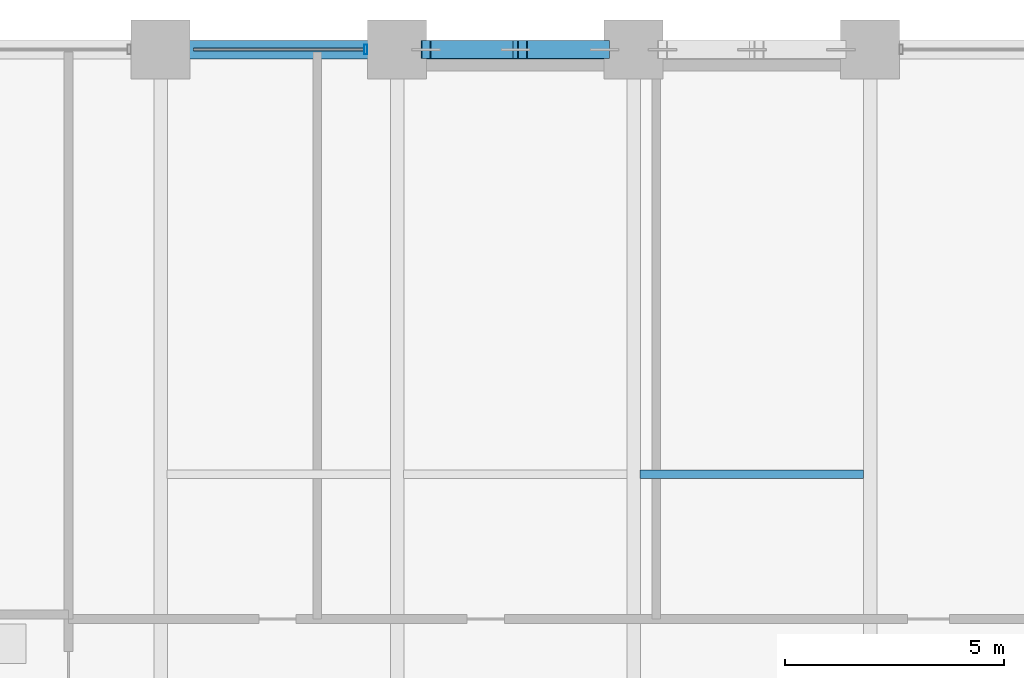
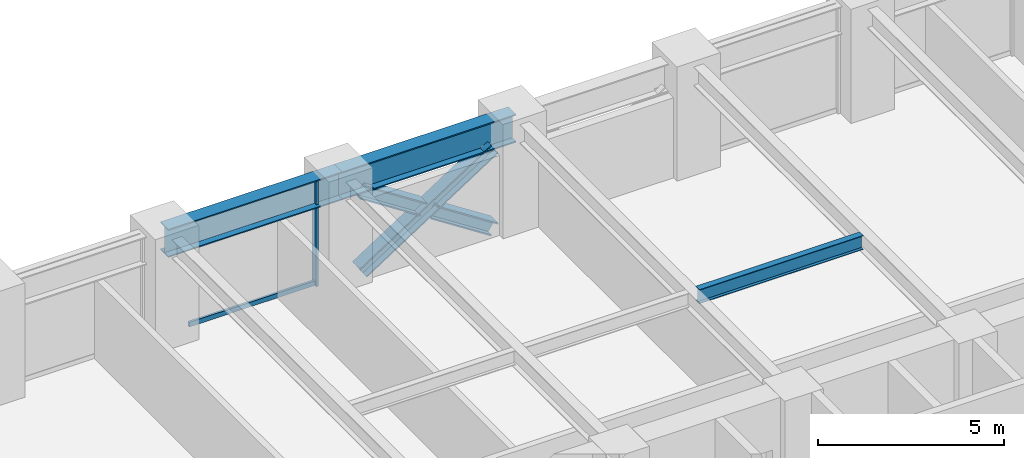
# One storey, part 13 of 24: 5 members, 3 beams, 1 element without a shape of its own.
"""IFC4 building model written with IfcOpenShell, lengths in metres."""

from ifc_helpers import new_model, si_unit, direction, frame, origin, origin_2d, place, context, subcontext, project, spatial, hollow_rectangle, i_section, extrude, material, layer, layer_set, material_profile, profile_set, type_object, element, aggregate, save


model = new_model("IFC4")

# Units and contexts
model_context = context("Model", 3, precision=1e-05, world=origin(), true_north=direction((0.0, 1.0)))
body_context = subcontext(model_context, "Body", "Model", "MODEL_VIEW")
ifc_project = project(units=[si_unit("LENGTHUNIT", "METRE"), si_unit("AREAUNIT", "SQUARE_METRE"), si_unit("VOLUMEUNIT", "CUBIC_METRE"), si_unit("PLANEANGLEUNIT", "RADIAN"), si_unit("MASSUNIT", "GRAM", prefix="KILO")], contexts=[model_context])

# Site, building, storey
site_placement = place(None, origin())
site = spatial("IfcSite", under=ifc_project, at=site_placement, CompositionType="ELEMENT")
building_placement = place(site_placement, origin())
building = spatial("IfcBuilding", under=site, at=building_placement, Name="Surkhivell Harbour Commons", CompositionType="ELEMENT")
storey_placement = place(building_placement, frame((0.0, 0.0, 30.0)))
storey = spatial("IfcBuildingStorey", under=building, at=storey_placement, Name="L07", CompositionType="ELEMENT", Elevation=30.0)

# Beams
ifc_material_1 = material(Name="Steel S355", Category="steel")
ifc_material_profile_1 = material_profile(ifc_material_1, i_section(OverallWidth=0.19189453125, OverallDepth=0.462890625, WebThickness=0.010498046875, FlangeThickness=0.017578125, at=origin_2d()), Name="UB457x191x89")
ifc_profile_set_1 = profile_set([ifc_material_profile_1], Name="Steel S355")
beam_type_1 = type_object("IfcBeamType", Name="BM-JST-457A", PredefinedType="JOIST", material=ifc_profile_set_1)
beam_1_placement = place(storey_placement, frame((0.151611328125, 16.199951171875, 3.33837890625), z_axis=(1.0, 0.0, 0.0), x_axis=(0.0, 1.0, 0.0)))
element("IfcBeam", 1, at=beam_1_placement, inside=storey, type_object=beam_type_1, Name="L07 North Composite Joist (0.0)", PredefinedType="JOIST", context=body_context, shape_type="SweptSolid", body=[
    extrude(i_section(OverallWidth=0.19189453125, OverallDepth=0.462890625, WebThickness=0.010498046875, FlangeThickness=0.017578125, at=origin_2d()), origin(), (0.0, 0.0, 1.0), 5.096923828125),
])
ifc_material_2 = material(Name="Steel S460", Category="steel")
ifc_material_profile_2 = material_profile(ifc_material_2, i_section(OverallWidth=0.419921875, OverallDepth=0.9208984375, WebThickness=0.021484375, FlangeThickness=0.03662109375, at=origin_2d()), Name="UB914x419x388")
ifc_profile_set_2 = profile_set([ifc_material_profile_2], Name="Steel S460")
beam_type_2 = type_object("IfcBeamType", Name="BM-SPN-914A", PredefinedType="SPANDREL", material=ifc_profile_set_2)
beam_2_placement = place(storey_placement, frame((-10.800048828125, 25.89990234375, 3.109619140625), z_axis=(1.0, 0.0, 0.0), x_axis=(0.0, 1.0, 0.0)))
element("IfcBeam", 2, at=beam_2_placement, inside=storey, type_object=beam_type_2, Name="L07 Tube Spandrel (-10.8,25.9)", PredefinedType="SPANDREL", context=body_context, shape_type="SweptSolid", body=[
    extrude(i_section(OverallWidth=0.419921875, OverallDepth=0.9208984375, WebThickness=0.021484375, FlangeThickness=0.03662109375, at=origin_2d()), origin(), (0.0, 0.0, 1.0), 5.400146484375),
])
beam_3_placement = place(storey_placement, frame((-5.39990234375, 25.89990234375, 3.109619140625), z_axis=(1.0, 0.0, 0.0), x_axis=(0.0, 1.0, 0.0)))
element("IfcBeam", 3, at=beam_3_placement, inside=storey, type_object=beam_type_2, Name="L07 Tube Spandrel (-5.4,25.9)", PredefinedType="SPANDREL", context=body_context, shape_type="SweptSolid", body=[
    extrude(i_section(OverallWidth=0.419921875, OverallDepth=0.9208984375, WebThickness=0.021484375, FlangeThickness=0.03662109375, at=origin_2d()), origin(), (0.0, 0.0, 1.0), 5.39990234375),
])

# Curtain wall, members
ifc_material_3 = material(Name="Anodised pale-metal aluminium and insulated glazing", Category="aluminium")
ifc_layer = layer(ifc_material_3, 0.219970703125)
ifc_layer_set = layer_set([ifc_layer], Name="Anodised pale-metal aluminium and insulated glazing")
curtain_wall_type = type_object("IfcCurtainWallType", Name="CW-SYS-Z1", PredefinedType="NOTDEFINED", material=ifc_layer_set)
curtain_wall_placement = place(storey_placement, origin())
curtain_wall = element("IfcCurtainWall", 4, at=curtain_wall_placement, inside=storey, type_object=curtain_wall_type, Name="L07 Curtain Wall CW-L07-E07S2", PredefinedType="NOTDEFINED")
ifc_material_4 = material(Name="Anodised pale-metal aluminium alloy 6063-T6", Category="aluminium")
ifc_material_profile_3 = material_profile(ifc_material_4, hollow_rectangle(XDim=0.074951171875, YDim=0.219970703125, WallThickness=0.00390625, at=origin_2d()), Name="ALU-MULL-75x220")
ifc_profile_set_3 = profile_set([ifc_material_profile_3], Name="Anodised pale-metal aluminium alloy 6063-T6")
member_type_1 = type_object("IfcMemberType", Name="CWM-220", PredefinedType="MULLION", material=ifc_profile_set_3)
member_1_placement = place(storey_placement, frame((-6.114501953125, 25.89990234375, 0.0), z_axis=(0.0, 0.0, 1.0), x_axis=(-1.0, 0.0, 0.0)))
member_1 = element("IfcMember", 5, at=member_1_placement, type_object=member_type_1, Name="CW-Z1 mullion 1", PredefinedType="MULLION", context=body_context, shape_type="SweptSolid", body=[
    extrude(hollow_rectangle(XDim=0.074951171875, YDim=0.219970703125, WallThickness=0.00390625, at=origin_2d()), origin(), (0.0, 0.0, 1.0), 3.570068359375),
])
ifc_material_profile_4 = material_profile(ifc_material_4, hollow_rectangle(XDim=0.074951171875, YDim=0.14990234375, WallThickness=0.00341796875, at=origin_2d()), Name="ALU-TRAN-75x150")
ifc_profile_set_4 = profile_set([ifc_material_profile_4], Name="Anodised pale-metal aluminium alloy 6063-T6")
member_type_2 = type_object("IfcMemberType", Name="CWT-150", PredefinedType="USERDEFINED", material=ifc_profile_set_4)
member_2_placement = place(storey_placement, frame((-6.152099609375, 25.89990234375, 0.074951171875), z_axis=(-1.0, 0.0, 0.0), x_axis=(0.0, -1.0, 0.0)))
member_2 = element("IfcMember", 6, at=member_2_placement, type_object=member_type_2, Name="CW-Z1 transom 1.1", ObjectType="TRANSOM", PredefinedType="USERDEFINED", context=body_context, shape_type="SweptSolid", body=[
    extrude(hollow_rectangle(XDim=0.074951171875, YDim=0.14990234375, WallThickness=0.00341796875, at=origin_2d()), origin(), (0.0, 0.0, 1.0), 3.89599609375),
])
aggregate(curtain_wall, [member_1, member_2])

# Members
ifc_material_profile_5 = material_profile(ifc_material_2, i_section(OverallWidth=0.406005859375, OverallDepth=0.416015625, WebThickness=0.026611328125, FlangeThickness=0.0390625, at=origin_2d()), Name="HD400x382")
ifc_profile_set_5 = profile_set([ifc_material_profile_5], Name="Steel S460")
member_type_3 = type_object("IfcMemberType", Name="MEM-BRC-HD382", PredefinedType="BRACE", material=ifc_profile_set_5)
member_3_placement = place(storey_placement, frame((-4.739990234375, 25.89990234375, 0.008056640625), z_axis=(0.83910375559, 0.0, 0.543971403067), x_axis=(0.0, 1.0, 0.0)))
element("IfcMember", 7, at=member_3_placement, inside=storey, type_object=member_type_3, Name="L07 Perimeter Mega-Brace MB- 01", PredefinedType="BRACE", context=body_context, shape_type="SweptSolid", body=[
    extrude(i_section(OverallWidth=0.406005859375, OverallDepth=0.416015625, WebThickness=0.026611328125, FlangeThickness=0.0390625, at=origin_2d()), origin(), (0.0, 0.0, 1.0), 4.8623046875),
])
member_4_placement = place(storey_placement, frame((-0.659912109375, 25.89990234375, 0.008056640625), z_axis=(-0.839117847051, 0.0, 0.54394966565), x_axis=(0.0, -1.0, 0.0)))
element("IfcMember", 8, at=member_4_placement, inside=storey, type_object=member_type_3, Name="L07 Perimeter Mega-Brace MB- 02", PredefinedType="BRACE", context=body_context, shape_type="SweptSolid", body=[
    extrude(i_section(OverallWidth=0.406005859375, OverallDepth=0.416015625, WebThickness=0.026611328125, FlangeThickness=0.0390625, at=origin_2d()), origin(), (0.0, 0.0, 1.0), 2.231689453125),
])
member_5_placement = place(storey_placement, frame((-2.86767578125, 25.89990234375, 1.439208984375), z_axis=(-0.83908547242, 0.0, 0.543999604756), x_axis=(0.0, -1.0, 0.0)))
element("IfcMember", 9, at=member_5_placement, inside=storey, type_object=member_type_3, Name="L07 Perimeter Mega-Brace MB- 03", PredefinedType="BRACE", context=body_context, shape_type="SweptSolid", body=[
    extrude(i_section(OverallWidth=0.406005859375, OverallDepth=0.416015625, WebThickness=0.026611328125, FlangeThickness=0.0390625, at=origin_2d()), origin(), (0.0, 0.0, 1.0), 2.2314453125),
])

save(model, "model.ifc")
